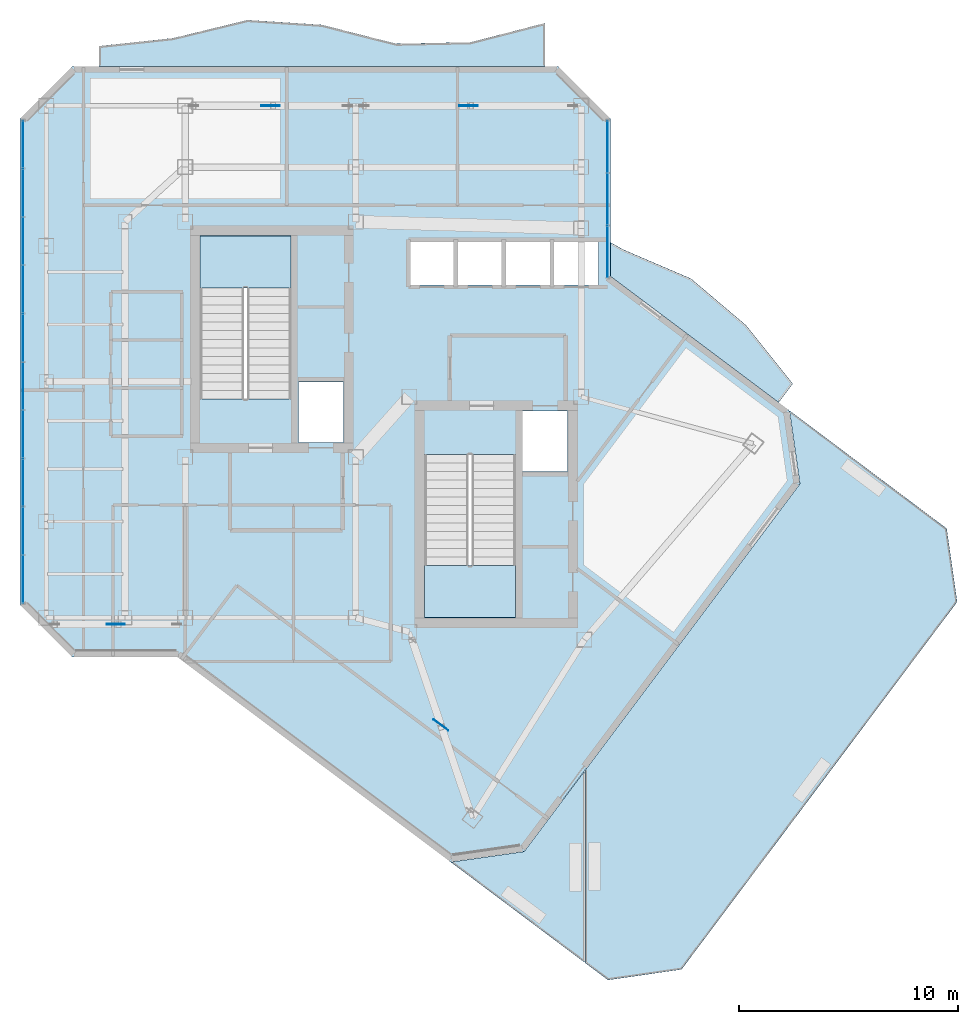
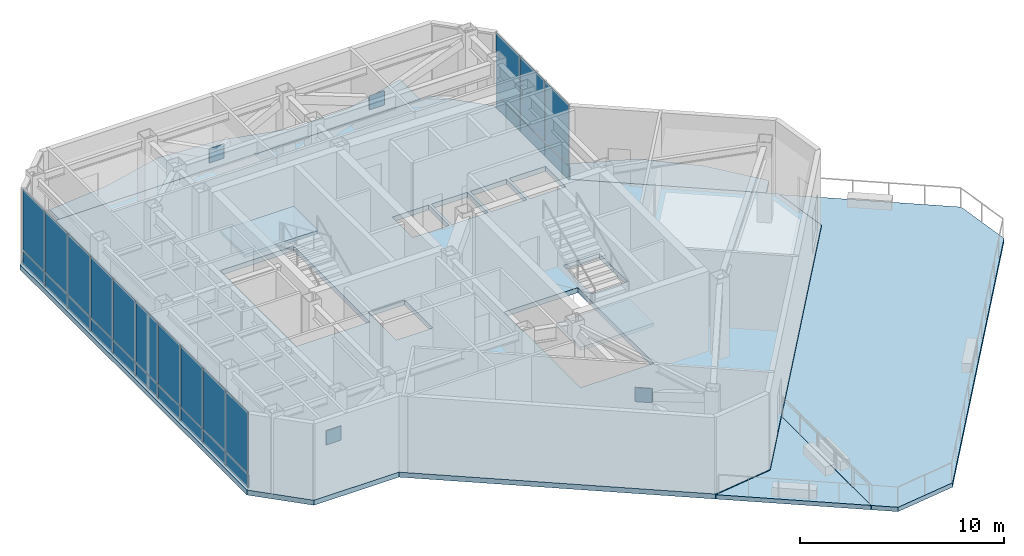
# One storey, part 14 of 21: 30 plates, 7 slabs, 4 elements without a shape of their own.
"""IFC4 building model written with IfcOpenShell, lengths in metres."""

import ifcopenshell
import ifcopenshell.guid

model = None  # the IFC model being written
_history = None  # IfcOwnerHistory: only IFC2X3 demands one
_inside = {}  # id of a spatial element -> (the spatial element, [elements in it])
_under = {}  # id of a project, library or spatial element -> (it, [spatial elements below it])
_declared = {}  # id of a project -> (the project, [libraries it declares])
_typed = {}  # id of a type object -> (the type object, [elements of that type])
_made_of = {}  # id of a material, layer set ... -> (it, [elements and type objects made of it])


def new_model(schema):
    """Start an empty IFC model of exactly this schema.

    Asked for "IFC4X3", IfcOpenShell would pick the latest addendum, in which some entities
    have other attributes; the version numbers below select the first issue.
    IFC2X3 requires an IfcOwnerHistory on every rooted entity: one is made here for all.
    """
    global model, _history
    if schema == "IFC4X3":
        model = ifcopenshell.file(schema_version=(4, 3, 0, 0))
    else:
        model = ifcopenshell.file(schema=schema)
    _inside.clear()
    _under.clear()
    _declared.clear()
    _typed.clear()
    _made_of.clear()
    _history = None
    if model.schema == "IFC2X3":
        org = make("IfcOrganization", Name="unknown")
        user = make(
            "IfcPersonAndOrganization",
            ThePerson=make("IfcPerson", FamilyName="unknown"),
            TheOrganization=org,
        )
        app = make(
            "IfcApplication",
            ApplicationDeveloper=org,
            Version="unknown",
            ApplicationFullName="unknown",
            ApplicationIdentifier="unknown",
        )
        _history = make(
            "IfcOwnerHistory",
            OwningUser=user,
            OwningApplication=app,
            ChangeAction="ADDED",
            CreationDate=0,
        )
    return model


def make(cls, **values):
    """One entity of the class cls with the attributes given. An attribute that is None is left unset."""
    return model.create_entity(
        cls, **{name: value for name, value in values.items() if value is not None}
    )


def rooted(cls, **values):
    """An entity with a GlobalId (a new one), such as an element, a storey or a relation."""
    return make(cls, GlobalId=ifcopenshell.guid.new(), OwnerHistory=_history, **values)


def si_unit(unit_type, name, prefix=None):
    """IfcSIUnit, for example si_unit("LENGTHUNIT", "METRE", prefix="MILLI")."""
    return make("IfcSIUnit", UnitType=unit_type, Prefix=prefix, Name=name)


def assignment(units):
    """IfcUnitAssignment: the units of a project."""
    return None if units is None else make("IfcUnitAssignment", Units=units)


def point(xyz):
    """IfcCartesianPoint."""
    return None if xyz is None else make("IfcCartesianPoint", Coordinates=xyz)


def direction(xyz):
    """IfcDirection."""
    return None if xyz is None else make("IfcDirection", DirectionRatios=xyz)


def frame(location, z_axis=None, x_axis=None):
    """IfcAxis2Placement3D, a coordinate frame: its origin and axes. An axis left out is left unset."""
    return make(
        "IfcAxis2Placement3D",
        Location=point(location),
        Axis=direction(z_axis),
        RefDirection=direction(x_axis),
    )


def frame_2d(location, x_axis=None):
    """IfcAxis2Placement2D, a coordinate frame in the plane: its origin and x axis."""
    return make(
        "IfcAxis2Placement2D", Location=point(location), RefDirection=direction(x_axis)
    )


def origin():
    """The frame at (0, 0, 0) with its axes left unset."""
    return frame((0.0, 0.0, 0.0))


def origin_2d():
    """The frame at (0, 0) in the plane with its x axis left unset."""
    return frame_2d((0.0, 0.0))


def place(relative_to, where):
    """IfcLocalPlacement: puts the frame where relative to a parent placement (None: the world)."""
    return make(
        "IfcLocalPlacement", PlacementRelTo=relative_to, RelativePlacement=where
    )


def context(
    kind, dimensions, precision=None, world=None, true_north=None, identifier=None
):
    """IfcGeometricRepresentationContext, for example the 3D "Model" context."""
    return make(
        "IfcGeometricRepresentationContext",
        ContextIdentifier=identifier,
        ContextType=kind,
        CoordinateSpaceDimension=dimensions,
        Precision=precision,
        WorldCoordinateSystem=world,
        TrueNorth=true_north,
    )


def subcontext(parent, identifier, kind, view, scale=None):
    """IfcGeometricRepresentationSubContext, for example "Body" below "Model"."""
    return make(
        "IfcGeometricRepresentationSubContext",
        ContextIdentifier=identifier,
        ContextType=kind,
        ParentContext=parent,
        TargetScale=scale,
        TargetView=view,
    )


def project(units=None, contexts=None):
    """IfcProject with its units and contexts."""
    return rooted(
        "IfcProject",
        Name="project",
        RepresentationContexts=contexts,
        UnitsInContext=assignment(units),
    )


def spatial(cls, under=None, at=None, **own):
    """A site, building, storey or space (cls), placed at a placement, below another one or the project."""
    s = rooted(cls, ObjectPlacement=at, **own)
    if under is not None:
        _under.setdefault(under.id(), (under, []))[1].append(s)
    return s


def polyline(points):
    """IfcPolyline through the points."""
    return make("IfcPolyline", Points=[point(p) for p in points])


def profile(cls, at=None, kind="AREA", **sizes):
    """A parametric profile (cls). Its sizes go by their IFC names, for example OverallWidth=200.0."""
    return make(cls, ProfileType=kind, Position=at, **sizes)


def rectangle(**sizes):
    """IfcRectangleProfileDef."""
    return profile("IfcRectangleProfileDef", **sizes)


def outline(outer, holes=None, kind="AREA"):
    """IfcArbitraryClosedProfileDef: a profile drawn as a closed curve; with holes, ...WithVoids."""
    if holes is None:
        return make("IfcArbitraryClosedProfileDef", ProfileType=kind, OuterCurve=outer)
    return make(
        "IfcArbitraryProfileDefWithVoids",
        ProfileType=kind,
        OuterCurve=outer,
        InnerCurves=holes,
    )


def extrude(swept, where, along, depth):
    """IfcExtrudedAreaSolid: the profile swept, set in the frame where, extruded along a direction by depth."""
    return make(
        "IfcExtrudedAreaSolid",
        SweptArea=swept,
        Position=where,
        ExtrudedDirection=direction(along),
        Depth=depth,
    )


def shape(context_of_items, identifier, shape_type, items):
    """IfcShapeRepresentation: the items that make up one representation, for example the "Body"."""
    return make(
        "IfcShapeRepresentation",
        ContextOfItems=context_of_items,
        RepresentationIdentifier=identifier,
        RepresentationType=shape_type,
        Items=items,
    )


def material(Name=None, Category=None):
    """IfcMaterial."""
    return make("IfcMaterial", Name=Name, Category=Category)


def layer(
    of_material, thickness, ventilated=None, Name=None, Category=None, Priority=None
):
    """IfcMaterialLayer: one layer of a wall or slab, of a material (None: an air gap)."""
    return make(
        "IfcMaterialLayer",
        Material=of_material,
        LayerThickness=thickness,
        IsVentilated=ventilated,
        Name=Name,
        Category=Category,
        Priority=Priority,
    )


def layer_set(layers, Name=None):
    """IfcMaterialLayerSet."""
    return make("IfcMaterialLayerSet", MaterialLayers=layers, LayerSetName=Name)


def made_of(thing, what):
    """Note that an element or type object is made of a material, layer set ...; save() writes the relation."""
    if what is not None:
        _made_of.setdefault(what.id(), (what, []))[1].append(thing)
    return thing


def type_object(cls, material=None, **own):
    """A type object (cls), such as IfcWallType, which elements share."""
    return made_of(rooted(cls, **own), material)


def element(
    cls,
    number,
    at=None,
    inside=None,
    cuts=None,
    type_object=None,
    material=None,
    context=None,
    identifier="Body",
    shape_type=None,
    held_by="IfcProductDefinitionShape",
    body=None,
    shapes=None,
    **own,
):
    """One element of the class cls, such as IfcWall. Its Tag is "e" and its number.

    at: its placement. inside: the storey or other place that contains it. cuts: it is an
    opening in that element (IfcRelVoidsElement). A single representation is given by context,
    identifier, shape_type and body (its items); several are given by shapes. held_by: the class
    of the entity that holds the representations. save() writes the other relations.
    """
    e = rooted(cls, Tag="e%d" % number, ObjectPlacement=at, **own)
    if body is not None:
        shapes = [shape(context, identifier, shape_type, body)]
    if shapes is not None:
        e.Representation = make(held_by, Representations=shapes)
    if inside is not None:
        _inside.setdefault(inside.id(), (inside, []))[1].append(e)
    if cuts is not None:
        rooted(
            "IfcRelVoidsElement", RelatingBuildingElement=cuts, RelatedOpeningElement=e
        )
    if type_object is not None:
        _typed.setdefault(type_object.id(), (type_object, []))[1].append(e)
    return made_of(e, material)


def aggregate(whole, parts):
    """IfcRelAggregates: a whole, such as a stair, and the parts it consists of."""
    return rooted("IfcRelAggregates", RelatingObject=whole, RelatedObjects=parts)


def save(model, path):
    """Write the relations noted so far, then the file.

    IfcRelAggregates (storeys below a building ...), IfcRelContainedInSpatialStructure (elements
    in a storey), IfcRelDefinesByType, IfcRelAssociatesMaterial and IfcRelDeclares: one each for
    every whole, place, type object, material and project.
    """
    for whole, parts in _under.values():
        aggregate(whole, parts)
    for where, things in _inside.values():
        rooted(
            "IfcRelContainedInSpatialStructure",
            RelatedElements=things,
            RelatingStructure=where,
        )
    for kind, things in _typed.values():
        rooted("IfcRelDefinesByType", RelatedObjects=things, RelatingType=kind)
    for what, things in _made_of.values():
        rooted("IfcRelAssociatesMaterial", RelatedObjects=things, RelatingMaterial=what)
    for by, libraries in _declared.values():
        rooted("IfcRelDeclares", RelatingContext=by, RelatedDefinitions=libraries)
    model.write(path)


model = new_model("IFC4")

# Units and contexts
model_context = context("Model", 3, precision=1e-05, world=origin(), true_north=direction((0.0, 1.0)))
body_context = subcontext(model_context, "Body", "Model", "MODEL_VIEW")
ifc_project = project(units=[si_unit("LENGTHUNIT", "METRE"), si_unit("AREAUNIT", "SQUARE_METRE"), si_unit("VOLUMEUNIT", "CUBIC_METRE"), si_unit("PLANEANGLEUNIT", "RADIAN"), si_unit("MASSUNIT", "GRAM", prefix="KILO")], contexts=[model_context])

# Site, building, storey
site_placement = place(None, origin())
site = spatial("IfcSite", under=ifc_project, at=site_placement, CompositionType="ELEMENT")
building_placement = place(site_placement, origin())
building = spatial("IfcBuilding", under=site, at=building_placement, Name="Hatsunagi Terrace Concourse", CompositionType="ELEMENT")
storey_placement = place(building_placement, frame((0.0, 0.0, 234.75)))
storey = spatial("IfcBuildingStorey", under=building, at=storey_placement, Name="L62", CompositionType="ELEMENT", Elevation=234.75)

# Curtain wall, plates
ifc_material_1 = material(Name="Anodised Aluminium Alloy 6063-T5", Category="aluminium")
ifc_layer_1 = layer(ifc_material_1, 0.199951171875)
ifc_layer_set_1 = layer_set([ifc_layer_1], Name="OfficeZone2_CW04")
curtain_wall_type = type_object("IfcCurtainWallType", Name="OfficeZone2_CW04", PredefinedType="NOTDEFINED", material=ifc_layer_set_1)
curtain_wall_1_placement = place(storey_placement, origin())
curtain_wall_1 = element("IfcCurtainWall", 1, at=curtain_wall_1_placement, inside=storey, type_object=curtain_wall_type, Name="Unitised Curtain Wall CW-04 CW-L62-08", PredefinedType="NOTDEFINED")
ifc_material_2 = material(Name="Warm Terracotta Ceramic Spandrel Panel", Category="masonry")
ifc_layer_2 = layer(ifc_material_2, 0.031982421875)
ifc_layer_set_2 = layer_set([ifc_layer_2], Name="CurtainWallSpandrelPanel_32")
plate_type_1 = type_object("IfcPlateType", Name="CurtainWallSpandrelPanel_32", PredefinedType="SHEET", material=ifc_layer_set_2)
plate_1_placement = place(storey_placement, frame((18.139892578125, 26.9619140625, 0.030029296875), z_axis=(0.0, 0.0, 1.0), x_axis=(0.0, 1.0, 0.0)))
plate_1 = element("IfcPlate", 2, at=plate_1_placement, type_object=plate_type_1, Name="Terracotta Spandrel Panel SPN-01", PredefinedType="SHEET", context=body_context, shape_type="SweptSolid", body=[
    extrude(rectangle(XDim=2.153076171875, YDim=0.031982421875, at=origin_2d()), origin(), (0.0, 0.0, 1.0), 0.7900390625),
])
plate_2_placement = place(storey_placement, frame((18.139892578125, 29.1708984375, 0.030029296875), z_axis=(0.0, 0.0, 1.0), x_axis=(0.0, 1.0, 0.0)))
plate_2 = element("IfcPlate", 3, at=plate_2_placement, type_object=plate_type_1, Name="Terracotta Spandrel Panel SPN-01", PredefinedType="SHEET", context=body_context, shape_type="SweptSolid", body=[
    extrude(rectangle(XDim=2.153076171875, YDim=0.031982421875, at=origin_2d()), origin(), (0.0, 0.0, 1.0), 0.7900390625),
])
plate_3_placement = place(storey_placement, frame((18.139892578125, 31.37890625, 0.030029296875), z_axis=(0.0, 0.0, 1.0), x_axis=(0.0, 1.0, 0.0)))
plate_3 = element("IfcPlate", 4, at=plate_3_placement, type_object=plate_type_1, Name="Terracotta Spandrel Panel SPN-01", PredefinedType="SHEET", context=body_context, shape_type="SweptSolid", body=[
    extrude(rectangle(XDim=2.153076171875, YDim=0.031982421875, at=origin_2d()), origin(), (0.0, 0.0, 1.0), 0.7900390625),
])
plate_4_placement = place(storey_placement, frame((18.139892578125, 33.5869140625, 0.030029296875), z_axis=(0.0, 0.0, 1.0), x_axis=(0.0, 1.0, 0.0)))
plate_4 = element("IfcPlate", 5, at=plate_4_placement, type_object=plate_type_1, Name="Terracotta Spandrel Panel SPN-01", PredefinedType="SHEET", context=body_context, shape_type="SweptSolid", body=[
    extrude(rectangle(XDim=2.153076171875, YDim=0.031982421875, at=origin_2d()), origin(), (0.0, 0.0, 1.0), 0.7900390625),
])
plate_5_placement = place(storey_placement, frame((18.139892578125, 35.7958984375, 0.030029296875), z_axis=(0.0, 0.0, 1.0), x_axis=(0.0, 1.0, 0.0)))
plate_5 = element("IfcPlate", 6, at=plate_5_placement, type_object=plate_type_1, Name="Terracotta Spandrel Panel SPN-01", PredefinedType="SHEET", context=body_context, shape_type="SweptSolid", body=[
    extrude(rectangle(XDim=2.153076171875, YDim=0.031982421875, at=origin_2d()), origin(), (0.0, 0.0, 1.0), 0.7900390625),
])
plate_6_placement = place(storey_placement, frame((18.139892578125, 38.00390625, 0.030029296875), z_axis=(0.0, 0.0, 1.0), x_axis=(0.0, 1.0, 0.0)))
plate_6 = element("IfcPlate", 7, at=plate_6_placement, type_object=plate_type_1, Name="Terracotta Spandrel Panel SPN-01", PredefinedType="SHEET", context=body_context, shape_type="SweptSolid", body=[
    extrude(rectangle(XDim=2.153076171875, YDim=0.031982421875, at=origin_2d()), origin(), (0.0, 0.0, 1.0), 0.7900390625),
])
plate_7_placement = place(storey_placement, frame((18.139892578125, 40.212890625, 0.030029296875), z_axis=(0.0, 0.0, 1.0), x_axis=(0.0, 1.0, 0.0)))
plate_7 = element("IfcPlate", 8, at=plate_7_placement, type_object=plate_type_1, Name="Terracotta Spandrel Panel SPN-01", PredefinedType="SHEET", context=body_context, shape_type="SweptSolid", body=[
    extrude(rectangle(XDim=2.153076171875, YDim=0.031982421875, at=origin_2d()), origin(), (0.0, 0.0, 1.0), 0.7900390625),
])
plate_8_placement = place(storey_placement, frame((18.139892578125, 42.4208984375, 0.030029296875), z_axis=(0.0, 0.0, 1.0), x_axis=(0.0, 1.0, 0.0)))
plate_8 = element("IfcPlate", 9, at=plate_8_placement, type_object=plate_type_1, Name="Terracotta Spandrel Panel SPN-01", PredefinedType="SHEET", context=body_context, shape_type="SweptSolid", body=[
    extrude(rectangle(XDim=2.153076171875, YDim=0.031982421875, at=origin_2d()), origin(), (0.0, 0.0, 1.0), 0.7900390625),
])
plate_9_placement = place(storey_placement, frame((18.139892578125, 44.62890625, 0.030029296875), z_axis=(0.0, 0.0, 1.0), x_axis=(0.0, 1.0, 0.0)))
plate_9 = element("IfcPlate", 10, at=plate_9_placement, type_object=plate_type_1, Name="Terracotta Spandrel Panel SPN-01", PredefinedType="SHEET", context=body_context, shape_type="SweptSolid", body=[
    extrude(rectangle(XDim=2.153076171875, YDim=0.031982421875, at=origin_2d()), origin(), (0.0, 0.0, 1.0), 0.7900390625),
])
plate_10_placement = place(storey_placement, frame((18.139892578125, 46.837890625, 0.030029296875), z_axis=(0.0, 0.0, 1.0), x_axis=(0.0, 1.0, 0.0)))
plate_10 = element("IfcPlate", 11, at=plate_10_placement, type_object=plate_type_1, Name="Terracotta Spandrel Panel SPN-01", PredefinedType="SHEET", context=body_context, shape_type="SweptSolid", body=[
    extrude(rectangle(XDim=2.153076171875, YDim=0.031982421875, at=origin_2d()), origin(), (0.0, 0.0, 1.0), 0.7900390625),
])

curtain_wall_2_placement = place(storey_placement, origin())
curtain_wall_2 = element("IfcCurtainWall", 12, at=curtain_wall_2_placement, inside=storey, type_object=curtain_wall_type, Name="Unitised Curtain Wall CW-04 CW-L62-12", PredefinedType="NOTDEFINED")
plate_11_placement = place(storey_placement, frame((44.860107421875, 46.739990234375, 0.030029296875), z_axis=(0.0, 0.0, 1.0), x_axis=(0.0, -1.0, 0.0)))
plate_11 = element("IfcPlate", 13, at=plate_11_placement, type_object=plate_type_1, Name="Terracotta Spandrel Panel SPN-01", PredefinedType="SHEET", context=body_context, shape_type="SweptSolid", body=[
    extrude(rectangle(XDim=2.34912109375, YDim=0.031982421875, at=origin_2d()), origin(), (0.0, 0.0, 1.0), 0.7900390625),
])
plate_12_placement = place(storey_placement, frame((44.860107421875, 44.3359375, 0.030029296875), z_axis=(0.0, 0.0, 1.0), x_axis=(0.0, -1.0, 0.0)))
plate_12 = element("IfcPlate", 14, at=plate_12_placement, type_object=plate_type_1, Name="Terracotta Spandrel Panel SPN-01", PredefinedType="SHEET", context=body_context, shape_type="SweptSolid", body=[
    extrude(rectangle(XDim=2.34912109375, YDim=0.031982421875, at=origin_2d()), origin(), (0.0, 0.0, 1.0), 0.7900390625),
])
plate_13_placement = place(storey_placement, frame((44.860107421875, 41.931884765625, 0.030029296875), z_axis=(0.0, 0.0, 1.0), x_axis=(0.0, -1.0, 0.0)))
plate_13 = element("IfcPlate", 15, at=plate_13_placement, type_object=plate_type_1, Name="Terracotta Spandrel Panel SPN-01", PredefinedType="SHEET", context=body_context, shape_type="SweptSolid", body=[
    extrude(rectangle(XDim=2.34912109375, YDim=0.031982421875, at=origin_2d()), origin(), (0.0, 0.0, 1.0), 0.7900390625),
])

# Plate
ifc_material_3 = material(Name="Low-E Double Insulating Glass 28mm", Category="glass")
ifc_layer_3 = layer(ifc_material_3, 0.028076171875)
ifc_layer_set_3 = layer_set([ifc_layer_3], Name="CurtainWallVisionGlass_28")
plate_type_2 = type_object("IfcPlateType", Name="CurtainWallVisionGlass_28", PredefinedType="CURTAIN_PANEL", material=ifc_layer_set_3)
plate_14_placement = place(storey_placement, frame((18.139892578125, 26.9619140625, 0.8798828125), z_axis=(0.0, 0.0, 1.0), x_axis=(0.0, 1.0, 0.0)))
plate_14 = element("IfcPlate", 16, at=plate_14_placement, type_object=plate_type_2, Name="Low-E Vision Glass Panel GLZ-01", PredefinedType="CURTAIN_PANEL", context=body_context, shape_type="SweptSolid", body=[
    extrude(rectangle(XDim=2.153076171875, YDim=0.028076171875, at=origin_2d()), origin(), (0.0, 0.0, 1.0), 3.639892578125),
])

plate_15_placement = place(storey_placement, frame((18.139892578125, 29.1708984375, 0.8798828125), z_axis=(0.0, 0.0, 1.0), x_axis=(0.0, 1.0, 0.0)))
plate_15 = element("IfcPlate", 17, at=plate_15_placement, type_object=plate_type_2, Name="Low-E Vision Glass Panel GLZ-01", PredefinedType="CURTAIN_PANEL", context=body_context, shape_type="SweptSolid", body=[
    extrude(rectangle(XDim=2.153076171875, YDim=0.028076171875, at=origin_2d()), origin(), (0.0, 0.0, 1.0), 3.639892578125),
])

plate_16_placement = place(storey_placement, frame((18.139892578125, 31.37890625, 0.8798828125), z_axis=(0.0, 0.0, 1.0), x_axis=(0.0, 1.0, 0.0)))
plate_16 = element("IfcPlate", 18, at=plate_16_placement, type_object=plate_type_2, Name="Low-E Vision Glass Panel GLZ-01", PredefinedType="CURTAIN_PANEL", context=body_context, shape_type="SweptSolid", body=[
    extrude(rectangle(XDim=2.153076171875, YDim=0.028076171875, at=origin_2d()), origin(), (0.0, 0.0, 1.0), 3.639892578125),
])

plate_17_placement = place(storey_placement, frame((18.139892578125, 33.5869140625, 0.8798828125), z_axis=(0.0, 0.0, 1.0), x_axis=(0.0, 1.0, 0.0)))
plate_17 = element("IfcPlate", 19, at=plate_17_placement, type_object=plate_type_2, Name="Low-E Vision Glass Panel GLZ-01", PredefinedType="CURTAIN_PANEL", context=body_context, shape_type="SweptSolid", body=[
    extrude(rectangle(XDim=2.153076171875, YDim=0.028076171875, at=origin_2d()), origin(), (0.0, 0.0, 1.0), 3.639892578125),
])

plate_18_placement = place(storey_placement, frame((18.139892578125, 35.7958984375, 0.8798828125), z_axis=(0.0, 0.0, 1.0), x_axis=(0.0, 1.0, 0.0)))
plate_18 = element("IfcPlate", 20, at=plate_18_placement, type_object=plate_type_2, Name="Low-E Vision Glass Panel GLZ-01", PredefinedType="CURTAIN_PANEL", context=body_context, shape_type="SweptSolid", body=[
    extrude(rectangle(XDim=2.153076171875, YDim=0.028076171875, at=origin_2d()), origin(), (0.0, 0.0, 1.0), 3.639892578125),
])

plate_19_placement = place(storey_placement, frame((18.139892578125, 38.00390625, 0.8798828125), z_axis=(0.0, 0.0, 1.0), x_axis=(0.0, 1.0, 0.0)))
plate_19 = element("IfcPlate", 21, at=plate_19_placement, type_object=plate_type_2, Name="Low-E Vision Glass Panel GLZ-01", PredefinedType="CURTAIN_PANEL", context=body_context, shape_type="SweptSolid", body=[
    extrude(rectangle(XDim=2.153076171875, YDim=0.028076171875, at=origin_2d()), origin(), (0.0, 0.0, 1.0), 3.639892578125),
])

plate_20_placement = place(storey_placement, frame((18.139892578125, 40.212890625, 0.8798828125), z_axis=(0.0, 0.0, 1.0), x_axis=(0.0, 1.0, 0.0)))
plate_20 = element("IfcPlate", 22, at=plate_20_placement, type_object=plate_type_2, Name="Low-E Vision Glass Panel GLZ-01", PredefinedType="CURTAIN_PANEL", context=body_context, shape_type="SweptSolid", body=[
    extrude(rectangle(XDim=2.153076171875, YDim=0.028076171875, at=origin_2d()), origin(), (0.0, 0.0, 1.0), 3.639892578125),
])

plate_21_placement = place(storey_placement, frame((18.139892578125, 42.4208984375, 0.8798828125), z_axis=(0.0, 0.0, 1.0), x_axis=(0.0, 1.0, 0.0)))
plate_21 = element("IfcPlate", 23, at=plate_21_placement, type_object=plate_type_2, Name="Low-E Vision Glass Panel GLZ-01", PredefinedType="CURTAIN_PANEL", context=body_context, shape_type="SweptSolid", body=[
    extrude(rectangle(XDim=2.153076171875, YDim=0.028076171875, at=origin_2d()), origin(), (0.0, 0.0, 1.0), 3.639892578125),
])

plate_22_placement = place(storey_placement, frame((18.139892578125, 44.62890625, 0.8798828125), z_axis=(0.0, 0.0, 1.0), x_axis=(0.0, 1.0, 0.0)))
plate_22 = element("IfcPlate", 24, at=plate_22_placement, type_object=plate_type_2, Name="Low-E Vision Glass Panel GLZ-01", PredefinedType="CURTAIN_PANEL", context=body_context, shape_type="SweptSolid", body=[
    extrude(rectangle(XDim=2.153076171875, YDim=0.028076171875, at=origin_2d()), origin(), (0.0, 0.0, 1.0), 3.639892578125),
])

plate_23_placement = place(storey_placement, frame((18.139892578125, 46.837890625, 0.8798828125), z_axis=(0.0, 0.0, 1.0), x_axis=(0.0, 1.0, 0.0)))
plate_23 = element("IfcPlate", 25, at=plate_23_placement, type_object=plate_type_2, Name="Low-E Vision Glass Panel GLZ-01", PredefinedType="CURTAIN_PANEL", context=body_context, shape_type="SweptSolid", body=[
    extrude(rectangle(XDim=2.153076171875, YDim=0.028076171875, at=origin_2d()), origin(), (0.0, 0.0, 1.0), 3.639892578125),
])

aggregate(curtain_wall_1, [plate_1, plate_14, plate_2, plate_15, plate_3, plate_16, plate_4, plate_17, plate_5, plate_18, plate_6, plate_19, plate_7, plate_20, plate_8, plate_21, plate_9, plate_22, plate_10, plate_23])

plate_24_placement = place(storey_placement, frame((44.860107421875, 46.739990234375, 0.8798828125), z_axis=(0.0, 0.0, 1.0), x_axis=(0.0, -1.0, 0.0)))
plate_24 = element("IfcPlate", 26, at=plate_24_placement, type_object=plate_type_2, Name="Low-E Vision Glass Panel GLZ-01", PredefinedType="CURTAIN_PANEL", context=body_context, shape_type="SweptSolid", body=[
    extrude(rectangle(XDim=2.34912109375, YDim=0.028076171875, at=origin_2d()), origin(), (0.0, 0.0, 1.0), 3.639892578125),
])

plate_25_placement = place(storey_placement, frame((44.860107421875, 44.3359375, 0.8798828125), z_axis=(0.0, 0.0, 1.0), x_axis=(0.0, -1.0, 0.0)))
plate_25 = element("IfcPlate", 27, at=plate_25_placement, type_object=plate_type_2, Name="Low-E Vision Glass Panel GLZ-01", PredefinedType="CURTAIN_PANEL", context=body_context, shape_type="SweptSolid", body=[
    extrude(rectangle(XDim=2.34912109375, YDim=0.028076171875, at=origin_2d()), origin(), (0.0, 0.0, 1.0), 3.639892578125),
])

plate_26_placement = place(storey_placement, frame((44.860107421875, 41.931884765625, 0.8798828125), z_axis=(0.0, 0.0, 1.0), x_axis=(0.0, -1.0, 0.0)))
plate_26 = element("IfcPlate", 28, at=plate_26_placement, type_object=plate_type_2, Name="Low-E Vision Glass Panel GLZ-01", PredefinedType="CURTAIN_PANEL", context=body_context, shape_type="SweptSolid", body=[
    extrude(rectangle(XDim=2.34912109375, YDim=0.028076171875, at=origin_2d()), origin(), (0.0, 0.0, 1.0), 3.639892578125),
])

aggregate(curtain_wall_2, [plate_11, plate_24, plate_12, plate_25, plate_13, plate_26])

# Stair, slab
ifc_material_4 = material(Name="Concrete Fc42", Category="concrete")
stair_type = type_object("IfcStairType", Name="DoglegExitStair_Tower2000_28R_171", PredefinedType="HALF_TURN_STAIR", material=ifc_material_4)
stair_1_placement = place(storey_placement, origin())
stair_1 = element("IfcStair", 29, at=stair_1_placement, inside=storey, type_object=stair_type, Name="L62 Core A Protected Exit Stair ST-A", PredefinedType="HALF_TURN_STAIR")
ifc_material_5 = material(Name="Concrete Fc42", Category="concrete")
ifc_layer_4 = layer(ifc_material_5, 0.199951171875)
ifc_layer_set_4 = layer_set([ifc_layer_4], Name="DoglegStairLanding_Tower2000")
slab_type_1 = type_object("IfcSlabType", Name="DoglegStairLanding_Tower2000", PredefinedType="LANDING", material=ifc_layer_set_4)
slab_1_placement = place(storey_placement, frame((0.0, 0.0, 2.199951171875)))
slab_1 = element("IfcSlab", 30, at=slab_1_placement, type_object=slab_type_1, Name="ST-A landing 1", PredefinedType="LANDING", context=body_context, shape_type="SweptSolid", body=[
    extrude(outline(polyline([(30.3798828125, 40.27001953125), (30.3798828125, 42.659912109375), (26.22998046875, 42.659912109375), (26.22998046875, 40.27001953125), (30.3798828125, 40.27001953125)])), origin(), (0.0, 0.0, 1.0), 0.199951171875),
])
aggregate(stair_1, [slab_1])

stair_2_placement = place(storey_placement, origin())
stair_2 = element("IfcStair", 31, at=stair_2_placement, inside=storey, type_object=stair_type, Name="L62 Core B Protected Exit Stair ST-B", PredefinedType="HALF_TURN_STAIR")
slab_2_placement = place(storey_placement, frame((0.0, 0.0, 2.199951171875)))
slab_2 = element("IfcSlab", 32, at=slab_2_placement, type_object=slab_type_1, Name="ST-B landing 1", PredefinedType="LANDING", context=body_context, shape_type="SweptSolid", body=[
    extrude(outline(polyline([(36.5, 27.590087890625), (36.5, 25.199951171875), (40.64990234375, 25.199951171875), (40.64990234375, 27.590087890625), (36.5, 27.590087890625)])), origin(), (0.0, 0.0, 1.0), 0.199951171875),
])
aggregate(stair_2, [slab_2])

# Slabs
ifc_material_6 = material(Name="Concrete Fc42", Category="concrete")
ifc_layer_5 = layer(ifc_material_6, 0.199951171875)
ifc_layer_set_5 = layer_set([ifc_layer_5], Name="EngawaBalconySlab_Fc42_200")
slab_type_2 = type_object("IfcSlabType", Name="EngawaBalconySlab_Fc42_200", PredefinedType="FLOOR", material=ifc_layer_set_5)
slab_3_placement = place(storey_placement, frame((0.0, 0.0, -0.199951171875)))
element("IfcSlab", 33, at=slab_3_placement, inside=storey, type_object=slab_type_2, Name="Engawa Balcony Slab BAL-L62-BN", PredefinedType="FLOOR", context=body_context, shape_type="SweptSolid", body=[
    extrude(outline(polyline([(21.60009765625, 51.33203125), (21.60009765625, 50.39990234375), (42.0, 50.39990234375), (42.0, 52.385009765625), (38.60009765625, 51.507080078125), (35.199951171875, 51.43798828125), (31.800048828125, 52.303955078125), (28.39990234375, 52.52392578125), (25.0, 51.696044921875), (21.60009765625, 51.33203125)])), origin(), (0.0, 0.0, 1.0), 0.199951171875),
])
slab_4_placement = place(storey_placement, frame((0.0, 0.0, -0.199951171875)))
element("IfcSlab", 34, at=slab_4_placement, inside=storey, type_object=slab_type_2, Name="Engawa Balcony Slab BAL-L62-BSE", PredefinedType="FLOOR", context=body_context, shape_type="SweptSolid", body=[
    extrude(outline(polyline([(45.552978515625, 42.0380859375), (44.99609375, 42.35791015625), (44.99609375, 40.802978515625), (52.679931640625, 35.0400390625), (53.324951171875, 35.89990234375), (51.196044921875, 38.56201171875), (48.674072265625, 40.698974609375), (45.552978515625, 42.0380859375)])), origin(), (0.0, 0.0, 1.0), 0.199951171875),
])
ifc_material_7 = material(Name="Concrete Fc42", Category="concrete")
ifc_layer_6 = layer(ifc_material_7, 0.300048828125)
ifc_layer_set_6 = layer_set([ifc_layer_6], Name="PodiumTransferSlab_Fc42_300")
slab_type_3 = type_object("IfcSlabType", Name="PodiumTransferSlab_Fc42_300", PredefinedType="FLOOR", material=ifc_layer_set_6)
slab_5_placement = place(storey_placement, frame((0.0, 0.0, -0.300048828125)))
element("IfcSlab", 35, at=slab_5_placement, inside=storey, type_object=slab_type_3, Name="Floor Slab SL-300 L62", PredefinedType="FLOOR", context=body_context, shape_type="SweptSolid", body=[
    extrude(outline(polyline([(45.0, 40.800048828125), (45.0, 48.0), (42.60009765625, 50.39990234375), (20.39990234375, 50.39990234375), (18.0, 48.0), (18.0, 25.800048828125), (20.39990234375, 23.39990234375), (25.199951171875, 23.39990234375), (37.679931640625, 14.0400390625), (41.0400390625, 14.52001953125), (53.639892578125, 31.320068359375), (53.159912109375, 34.679931640625), (45.0, 40.800048828125)]), holes=[polyline([(26.22998046875, 35.205078125), (30.3798828125, 35.205078125), (30.3798828125, 42.659912109375), (26.22998046875, 42.659912109375), (26.22998046875, 35.205078125)]), polyline([(36.5, 25.199951171875), (40.64990234375, 25.199951171875), (40.64990234375, 32.655029296875), (36.5, 32.655029296875), (36.5, 25.199951171875)]), polyline([(30.719970703125, 33.219970703125), (32.780029296875, 33.219970703125), (32.780029296875, 35.97998046875), (30.719970703125, 35.97998046875), (30.719970703125, 33.219970703125)]), polyline([(40.97998046875, 31.8798828125), (43.02001953125, 31.8798828125), (43.02001953125, 34.639892578125), (40.97998046875, 34.639892578125), (40.97998046875, 31.8798828125)]), polyline([(35.800048828125, 40.39990234375), (37.85009765625, 40.39990234375), (37.85009765625, 42.39990234375), (35.800048828125, 42.39990234375), (35.800048828125, 40.39990234375)]), polyline([(38.0, 40.39990234375), (40.050048828125, 40.39990234375), (40.050048828125, 42.39990234375), (38.0, 42.39990234375), (38.0, 40.39990234375)]), polyline([(40.199951171875, 40.39990234375), (42.25, 40.39990234375), (42.25, 42.39990234375), (40.199951171875, 42.39990234375), (40.199951171875, 40.39990234375)]), polyline([(42.39990234375, 40.39990234375), (44.449951171875, 40.39990234375), (44.449951171875, 42.39990234375), (42.39990234375, 42.39990234375), (42.39990234375, 40.39990234375)])]), origin(), (0.0, 0.0, 1.0), 0.300048828125),
])
ifc_material_8 = material(Name="Concrete Fc42", Category="concrete")
ifc_layer_7 = layer(ifc_material_8, 0.260009765625)
ifc_layer_set_7 = layer_set([ifc_layer_7], Name="SkyGardenTerraceSlab_Fc42_260")
slab_type_4 = type_object("IfcSlabType", Name="SkyGardenTerraceSlab_Fc42_260", PredefinedType="ROOF", material=ifc_layer_set_7)
slab_6_placement = place(storey_placement, frame((0.0, 0.0, -0.300048828125)))
element("IfcSlab", 36, at=slab_6_placement, inside=storey, type_object=slab_type_4, Name="Sky Garden Terrace TER-L62-1", PredefinedType="ROOF", context=body_context, shape_type="SweptSolid", body=[
    extrude(outline(polyline([(37.694091796875, 14.030029296875), (43.81494140625, 9.43896484375), (43.81494140625, 18.199951171875), (41.047119140625, 14.509033203125), (37.694091796875, 14.030029296875)])), origin(), (0.0, 0.0, 1.0), 0.260009765625),
])
slab_7_placement = place(storey_placement, frame((0.0, 0.0, -0.300048828125)))
element("IfcSlab", 37, at=slab_7_placement, inside=storey, type_object=slab_type_4, Name="Sky Garden Terrace TER-L62-2", PredefinedType="ROOF", context=body_context, shape_type="SweptSolid", body=[
    extrude(outline(polyline([(60.840087890625, 25.919921875), (60.360107421875, 29.280029296875), (53.174072265625, 34.669921875), (53.653076171875, 31.31689453125), (43.824951171875, 18.212890625), (43.824951171875, 9.430908203125), (44.8798828125, 8.639892578125), (48.239990234375, 9.1201171875), (60.840087890625, 25.919921875)])), origin(), (0.0, 0.0, 1.0), 0.260009765625),
])

# Plates
ifc_material_9 = material(Name="Steel SN490C", Category="steel")
ifc_layer_8 = layer(ifc_material_9, 0.031982421875)
ifc_layer_set_8 = layer_set([ifc_layer_8], Name="XBraceNodeCapPlate_32")
plate_type_3 = type_object("IfcPlateType", Name="XBraceNodeCapPlate_32", PredefinedType="USERDEFINED", material=ifc_layer_set_8)
for number, where, z_axis, x_axis, name in (
    (38, (22.375, 24.89990234375, 1.85498046875), (0.0, 0.0, 1.0), (1.0, 0.0, 0.0), "Crossing Gusset Node Plate GP-02 BTR-L62-1"),
    (39, (37.239990234375, 20.294921875, 1.85498046875), (0.0, 0.0, 1.0), (0.799999996291, -0.600000004945, 0.0), "Crossing Gusset Node Plate GP-02 BTR-L62-2"),
    (40, (29.449951171875, 48.60009765625, 1.85498046875), (0.0, 0.0, 1.0), (1.0, 0.0, 0.0), "Crossing Gusset Node Plate GP-02 BTR-L62-3"),
    (41, (38.5, 48.60009765625, 1.85498046875), (0.0, 0.0, 1.0), (1.0, 0.0, 0.0), "Crossing Gusset Node Plate GP-02 BTR-L62-4"),
):
    element("IfcPlate", number, at=place(storey_placement, frame(where, z_axis=z_axis, x_axis=x_axis)), inside=storey, type_object=plate_type_3, Name=name, ObjectType="GUSSET_PLATE", PredefinedType="USERDEFINED", context=body_context, shape_type="SweptSolid", body=[
        extrude(rectangle(XDim=0.840087890625, YDim=0.031982421875, at=origin_2d()), origin(), (0.0, 0.0, 1.0), 0.840087890625),
    ])

save(model, "model.ifc")
